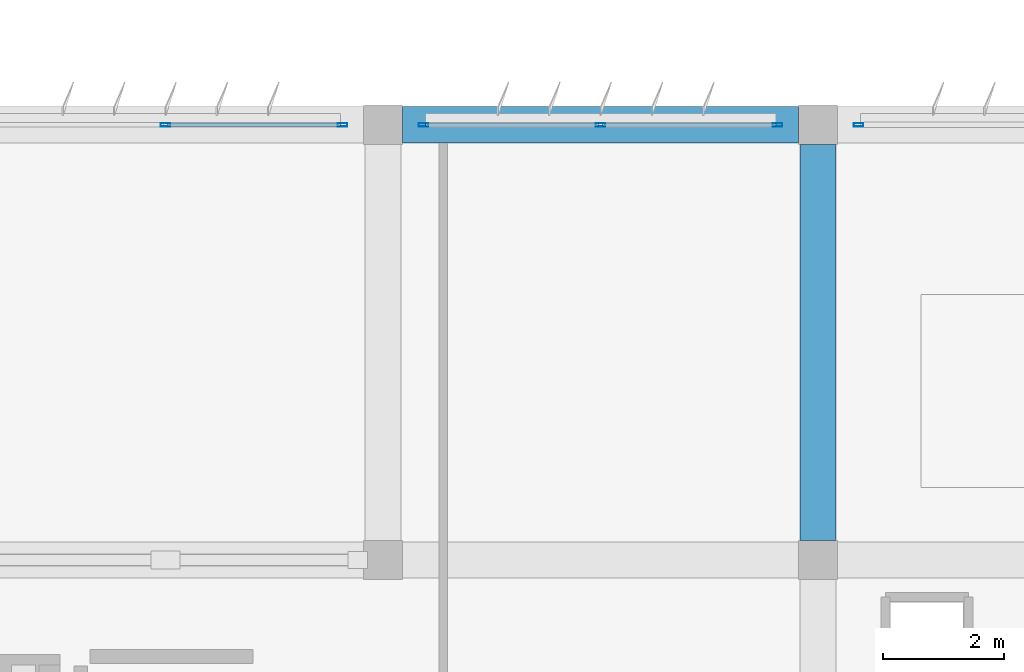
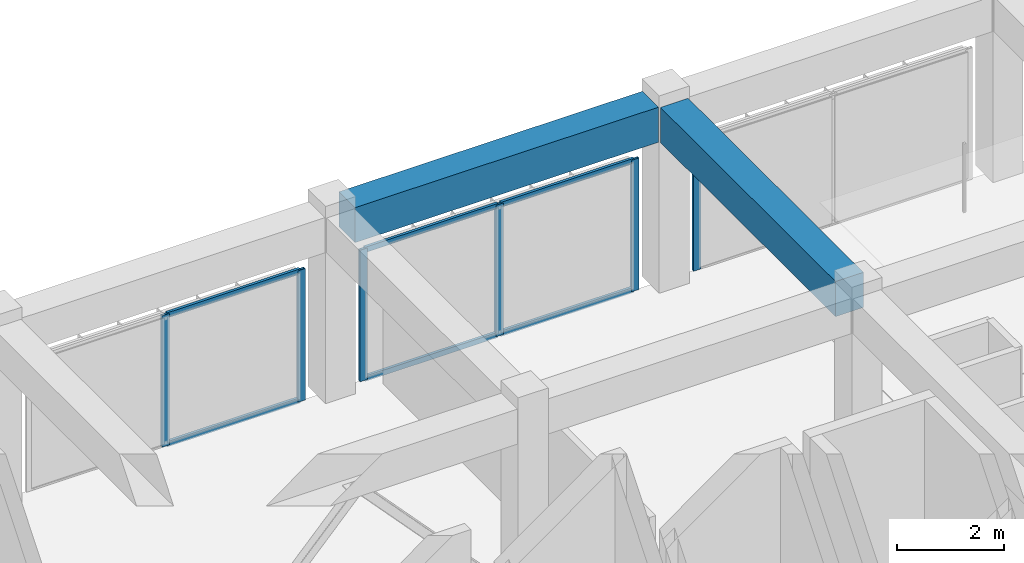
# One storey, part 16 of 56: 12 members, 2 beams, 3 elements without a shape of their own.
"""IFC4 building model written with IfcOpenShell, lengths in metres."""

import ifcopenshell
import ifcopenshell.guid

model = None  # the IFC model being written
_history = None  # IfcOwnerHistory: only IFC2X3 demands one
_inside = {}  # id of a spatial element -> (the spatial element, [elements in it])
_under = {}  # id of a project, library or spatial element -> (it, [spatial elements below it])
_declared = {}  # id of a project -> (the project, [libraries it declares])
_typed = {}  # id of a type object -> (the type object, [elements of that type])
_made_of = {}  # id of a material, layer set ... -> (it, [elements and type objects made of it])


def new_model(schema):
    """Start an empty IFC model of exactly this schema.

    Asked for "IFC4X3", IfcOpenShell would pick the latest addendum, in which some entities
    have other attributes; the version numbers below select the first issue.
    IFC2X3 requires an IfcOwnerHistory on every rooted entity: one is made here for all.
    """
    global model, _history
    if schema == "IFC4X3":
        model = ifcopenshell.file(schema_version=(4, 3, 0, 0))
    else:
        model = ifcopenshell.file(schema=schema)
    _inside.clear()
    _under.clear()
    _declared.clear()
    _typed.clear()
    _made_of.clear()
    _history = None
    if model.schema == "IFC2X3":
        org = make("IfcOrganization", Name="unknown")
        user = make(
            "IfcPersonAndOrganization",
            ThePerson=make("IfcPerson", FamilyName="unknown"),
            TheOrganization=org,
        )
        app = make(
            "IfcApplication",
            ApplicationDeveloper=org,
            Version="unknown",
            ApplicationFullName="unknown",
            ApplicationIdentifier="unknown",
        )
        _history = make(
            "IfcOwnerHistory",
            OwningUser=user,
            OwningApplication=app,
            ChangeAction="ADDED",
            CreationDate=0,
        )
    return model


def make(cls, **values):
    """One entity of the class cls with the attributes given. An attribute that is None is left unset."""
    return model.create_entity(
        cls, **{name: value for name, value in values.items() if value is not None}
    )


def rooted(cls, **values):
    """An entity with a GlobalId (a new one), such as an element, a storey or a relation."""
    return make(cls, GlobalId=ifcopenshell.guid.new(), OwnerHistory=_history, **values)


def si_unit(unit_type, name, prefix=None):
    """IfcSIUnit, for example si_unit("LENGTHUNIT", "METRE", prefix="MILLI")."""
    return make("IfcSIUnit", UnitType=unit_type, Prefix=prefix, Name=name)


def assignment(units):
    """IfcUnitAssignment: the units of a project."""
    return None if units is None else make("IfcUnitAssignment", Units=units)


def point(xyz):
    """IfcCartesianPoint."""
    return None if xyz is None else make("IfcCartesianPoint", Coordinates=xyz)


def direction(xyz):
    """IfcDirection."""
    return None if xyz is None else make("IfcDirection", DirectionRatios=xyz)


def frame(location, z_axis=None, x_axis=None):
    """IfcAxis2Placement3D, a coordinate frame: its origin and axes. An axis left out is left unset."""
    return make(
        "IfcAxis2Placement3D",
        Location=point(location),
        Axis=direction(z_axis),
        RefDirection=direction(x_axis),
    )


def frame_2d(location, x_axis=None):
    """IfcAxis2Placement2D, a coordinate frame in the plane: its origin and x axis."""
    return make(
        "IfcAxis2Placement2D", Location=point(location), RefDirection=direction(x_axis)
    )


def origin():
    """The frame at (0, 0, 0) with its axes left unset."""
    return frame((0.0, 0.0, 0.0))


def origin_2d():
    """The frame at (0, 0) in the plane with its x axis left unset."""
    return frame_2d((0.0, 0.0))


def place(relative_to, where):
    """IfcLocalPlacement: puts the frame where relative to a parent placement (None: the world)."""
    return make(
        "IfcLocalPlacement", PlacementRelTo=relative_to, RelativePlacement=where
    )


def context(
    kind, dimensions, precision=None, world=None, true_north=None, identifier=None
):
    """IfcGeometricRepresentationContext, for example the 3D "Model" context."""
    return make(
        "IfcGeometricRepresentationContext",
        ContextIdentifier=identifier,
        ContextType=kind,
        CoordinateSpaceDimension=dimensions,
        Precision=precision,
        WorldCoordinateSystem=world,
        TrueNorth=true_north,
    )


def subcontext(parent, identifier, kind, view, scale=None):
    """IfcGeometricRepresentationSubContext, for example "Body" below "Model"."""
    return make(
        "IfcGeometricRepresentationSubContext",
        ContextIdentifier=identifier,
        ContextType=kind,
        ParentContext=parent,
        TargetScale=scale,
        TargetView=view,
    )


def project(units=None, contexts=None):
    """IfcProject with its units and contexts."""
    return rooted(
        "IfcProject",
        Name="project",
        RepresentationContexts=contexts,
        UnitsInContext=assignment(units),
    )


def spatial(cls, under=None, at=None, **own):
    """A site, building, storey or space (cls), placed at a placement, below another one or the project."""
    s = rooted(cls, ObjectPlacement=at, **own)
    if under is not None:
        _under.setdefault(under.id(), (under, []))[1].append(s)
    return s


def profile(cls, at=None, kind="AREA", **sizes):
    """A parametric profile (cls). Its sizes go by their IFC names, for example OverallWidth=200.0."""
    return make(cls, ProfileType=kind, Position=at, **sizes)


def rectangle(**sizes):
    """IfcRectangleProfileDef."""
    return profile("IfcRectangleProfileDef", **sizes)


def hollow_rectangle(**sizes):
    """IfcRectangleHollowProfileDef."""
    return profile("IfcRectangleHollowProfileDef", **sizes)


def extrude(swept, where, along, depth):
    """IfcExtrudedAreaSolid: the profile swept, set in the frame where, extruded along a direction by depth."""
    return make(
        "IfcExtrudedAreaSolid",
        SweptArea=swept,
        Position=where,
        ExtrudedDirection=direction(along),
        Depth=depth,
    )


def shape(context_of_items, identifier, shape_type, items):
    """IfcShapeRepresentation: the items that make up one representation, for example the "Body"."""
    return make(
        "IfcShapeRepresentation",
        ContextOfItems=context_of_items,
        RepresentationIdentifier=identifier,
        RepresentationType=shape_type,
        Items=items,
    )


def material(Name=None, Category=None):
    """IfcMaterial."""
    return make("IfcMaterial", Name=Name, Category=Category)


def material_profile(
    of_material, cross_section, Name=None, Category=None, Priority=None
):
    """IfcMaterialProfile: a cross section and its material."""
    return make(
        "IfcMaterialProfile",
        Name=Name,
        Material=of_material,
        Profile=cross_section,
        Priority=Priority,
        Category=Category,
    )


def profile_set(profiles, Name=None, composite=None):
    """IfcMaterialProfileSet."""
    return make(
        "IfcMaterialProfileSet",
        Name=Name,
        MaterialProfiles=profiles,
        CompositeProfile=composite,
    )


def made_of(thing, what):
    """Note that an element or type object is made of a material, layer set ...; save() writes the relation."""
    if what is not None:
        _made_of.setdefault(what.id(), (what, []))[1].append(thing)
    return thing


def type_object(cls, material=None, **own):
    """A type object (cls), such as IfcWallType, which elements share."""
    return made_of(rooted(cls, **own), material)


def element(
    cls,
    number,
    at=None,
    inside=None,
    cuts=None,
    type_object=None,
    material=None,
    context=None,
    identifier="Body",
    shape_type=None,
    held_by="IfcProductDefinitionShape",
    body=None,
    shapes=None,
    **own,
):
    """One element of the class cls, such as IfcWall. Its Tag is "e" and its number.

    at: its placement. inside: the storey or other place that contains it. cuts: it is an
    opening in that element (IfcRelVoidsElement). A single representation is given by context,
    identifier, shape_type and body (its items); several are given by shapes. held_by: the class
    of the entity that holds the representations. save() writes the other relations.
    """
    e = rooted(cls, Tag="e%d" % number, ObjectPlacement=at, **own)
    if body is not None:
        shapes = [shape(context, identifier, shape_type, body)]
    if shapes is not None:
        e.Representation = make(held_by, Representations=shapes)
    if inside is not None:
        _inside.setdefault(inside.id(), (inside, []))[1].append(e)
    if cuts is not None:
        rooted(
            "IfcRelVoidsElement", RelatingBuildingElement=cuts, RelatedOpeningElement=e
        )
    if type_object is not None:
        _typed.setdefault(type_object.id(), (type_object, []))[1].append(e)
    return made_of(e, material)


def aggregate(whole, parts):
    """IfcRelAggregates: a whole, such as a stair, and the parts it consists of."""
    return rooted("IfcRelAggregates", RelatingObject=whole, RelatedObjects=parts)


def save(model, path):
    """Write the relations noted so far, then the file.

    IfcRelAggregates (storeys below a building ...), IfcRelContainedInSpatialStructure (elements
    in a storey), IfcRelDefinesByType, IfcRelAssociatesMaterial and IfcRelDeclares: one each for
    every whole, place, type object, material and project.
    """
    for whole, parts in _under.values():
        aggregate(whole, parts)
    for where, things in _inside.values():
        rooted(
            "IfcRelContainedInSpatialStructure",
            RelatedElements=things,
            RelatingStructure=where,
        )
    for kind, things in _typed.values():
        rooted("IfcRelDefinesByType", RelatedObjects=things, RelatingType=kind)
    for what, things in _made_of.values():
        rooted("IfcRelAssociatesMaterial", RelatedObjects=things, RelatingMaterial=what)
    for by, libraries in _declared.values():
        rooted("IfcRelDeclares", RelatingContext=by, RelatedDefinitions=libraries)
    model.write(path)


model = new_model("IFC4")

# Units and contexts
model_context = context("Model", 3, precision=1e-05, world=origin(), true_north=direction((0.0, 1.0)))
body_context = subcontext(model_context, "Body", "Model", "MODEL_VIEW")
ifc_project = project(units=[si_unit("LENGTHUNIT", "METRE"), si_unit("AREAUNIT", "SQUARE_METRE"), si_unit("VOLUMEUNIT", "CUBIC_METRE"), si_unit("PLANEANGLEUNIT", "RADIAN"), si_unit("MASSUNIT", "GRAM", prefix="KILO")], contexts=[model_context])

# Site, building, storey
site_placement = place(None, origin())
site = spatial("IfcSite", under=ifc_project, at=site_placement, CompositionType="ELEMENT")
building_placement = place(site_placement, origin())
building = spatial("IfcBuilding", under=site, at=building_placement, Name="Kazehaya Institute of Natural Sciences", CompositionType="ELEMENT")
storey_placement = place(building_placement, frame((0.0, 0.0, 28.800048828125)))
storey = spatial("IfcBuildingStorey", under=building, at=storey_placement, Name="L06", CompositionType="ELEMENT", Elevation=28.800048828125)

# Beams
ifc_material_1 = material(Name="Concrete Fc36", Category="concrete")
ifc_material_profile_1 = material_profile(ifc_material_1, rectangle(XDim=0.60009765625, YDim=0.800048828125, at=origin_2d()), Name="RC-600x800")
ifc_profile_set_1 = profile_set([ifc_material_profile_1], Name="Concrete Fc36")
beam_type = type_object("IfcBeamType", Name="BM-G-600x800", PredefinedType="BEAM", material=ifc_profile_set_1)
beam_1_placement = place(storey_placement, frame((76.52490234375, 35.60009765625, 3.829833984375), z_axis=(1.0, 0.0, 0.0), x_axis=(0.0, 1.0, 0.0)))
element("IfcBeam", 1, at=beam_1_placement, inside=storey, type_object=beam_type, Name="L06 primary X girder BMX-L06-762-356", PredefinedType="BEAM", context=body_context, shape_type="SweptSolid", body=[
    extrude(rectangle(XDim=0.60009765625, YDim=0.800048828125, at=origin_2d()), origin(), (0.0, 0.0, 1.0), 6.550048828125),
])
beam_2_placement = place(storey_placement, frame((83.39990234375, 28.72509765625, 3.829833984375), z_axis=(0.0, 1.0, 0.0), x_axis=(-1.0, 0.0, 0.0)))
element("IfcBeam", 2, at=beam_2_placement, inside=storey, type_object=beam_type, Name="L06 primary Y girder BMY-L06-834-284", PredefinedType="BEAM", context=body_context, shape_type="SweptSolid", body=[
    extrude(rectangle(XDim=0.60009765625, YDim=0.800048828125, at=origin_2d()), origin(), (0.0, 0.0, 1.0), 6.5498046875),
])

# Curtain wall, members
ifc_material_2 = material(Name="Aluminium alloy A6063S-T5", Category="aluminium")
curtain_wall_type = type_object("IfcCurtainWallType", Name="CW-SYS-04", PredefinedType="NOTDEFINED", material=ifc_material_2)
curtain_wall_1_placement = place(storey_placement, origin())
curtain_wall_1 = element("IfcCurtainWall", 3, at=curtain_wall_1_placement, inside=storey, type_object=curtain_wall_type, Name="L06 unitised curtain wall CW-L06-131", PredefinedType="NOTDEFINED")
ifc_material_profile_2 = material_profile(ifc_material_2, hollow_rectangle(XDim=0.06005859375, YDim=0.159912109375, WallThickness=0.00390625, at=origin_2d()), Name="ALU-60x160x4")
ifc_profile_set_2 = profile_set([ifc_material_profile_2], Name="Aluminium alloy A6063S-T5")
member_type_1 = type_object("IfcMemberType", Name="CWM-160", PredefinedType="MULLION", material=ifc_profile_set_2)
member_1_placement = place(storey_placement, frame((72.60009765625, 35.60009765625, 0.0), z_axis=(0.0, 0.0, 1.0), x_axis=(0.0, 1.0, 0.0)))
member_1 = element("IfcMember", 4, at=member_1_placement, type_object=member_type_1, Name="CW04 mullion 2", PredefinedType="MULLION", context=body_context, shape_type="SweptSolid", body=[
    extrude(hollow_rectangle(XDim=0.06005859375, YDim=0.159912109375, WallThickness=0.00390625, at=origin_2d()), origin(), (0.0, 0.0, 1.0), 3.0),
])
member_2_placement = place(storey_placement, frame((75.530029296875, 35.60009765625, 0.0), z_axis=(0.0, 0.0, 1.0), x_axis=(0.0, 1.0, 0.0)))
member_2 = element("IfcMember", 5, at=member_2_placement, type_object=member_type_1, Name="CW04 mullion 3", PredefinedType="MULLION", context=body_context, shape_type="SweptSolid", body=[
    extrude(hollow_rectangle(XDim=0.06005859375, YDim=0.159912109375, WallThickness=0.00390625, at=origin_2d()), origin(), (0.0, 0.0, 1.0), 3.0),
])

curtain_wall_2_placement = place(storey_placement, origin())
curtain_wall_2 = element("IfcCurtainWall", 6, at=curtain_wall_2_placement, inside=storey, type_object=curtain_wall_type, Name="L06 unitised curtain wall CW-L06-132", PredefinedType="NOTDEFINED")
member_3_placement = place(storey_placement, frame((76.8701171875, 35.60009765625, 0.0), z_axis=(0.0, 0.0, 1.0), x_axis=(0.0, 1.0, 0.0)))
member_3 = element("IfcMember", 7, at=member_3_placement, type_object=member_type_1, Name="CW04 mullion 1", PredefinedType="MULLION", context=body_context, shape_type="SweptSolid", body=[
    extrude(hollow_rectangle(XDim=0.06005859375, YDim=0.159912109375, WallThickness=0.00390625, at=origin_2d()), origin(), (0.0, 0.0, 1.0), 3.0),
])
member_4_placement = place(storey_placement, frame((79.800048828125, 35.60009765625, 0.0), z_axis=(0.0, 0.0, 1.0), x_axis=(0.0, 1.0, 0.0)))
member_4 = element("IfcMember", 8, at=member_4_placement, type_object=member_type_1, Name="CW04 mullion 2", PredefinedType="MULLION", context=body_context, shape_type="SweptSolid", body=[
    extrude(hollow_rectangle(XDim=0.06005859375, YDim=0.159912109375, WallThickness=0.00390625, at=origin_2d()), origin(), (0.0, 0.0, 1.0), 3.0),
])
member_5_placement = place(storey_placement, frame((82.72998046875, 35.60009765625, 0.0), z_axis=(0.0, 0.0, 1.0), x_axis=(0.0, 1.0, 0.0)))
member_5 = element("IfcMember", 9, at=member_5_placement, type_object=member_type_1, Name="CW04 mullion 3", PredefinedType="MULLION", context=body_context, shape_type="SweptSolid", body=[
    extrude(hollow_rectangle(XDim=0.06005859375, YDim=0.159912109375, WallThickness=0.00390625, at=origin_2d()), origin(), (0.0, 0.0, 1.0), 3.0),
])

# Curtain wall, member
curtain_wall_3_placement = place(storey_placement, origin())
curtain_wall_3 = element("IfcCurtainWall", 10, at=curtain_wall_3_placement, inside=storey, type_object=curtain_wall_type, Name="L06 unitised curtain wall CW-L06-133", PredefinedType="NOTDEFINED")
member_6_placement = place(storey_placement, frame((84.070068359375, 35.60009765625, 0.0), z_axis=(0.0, 0.0, 1.0), x_axis=(0.0, 1.0, 0.0)))
member_6 = element("IfcMember", 11, at=member_6_placement, type_object=member_type_1, Name="CW04 mullion 1", PredefinedType="MULLION", context=body_context, shape_type="SweptSolid", body=[
    extrude(hollow_rectangle(XDim=0.06005859375, YDim=0.159912109375, WallThickness=0.00390625, at=origin_2d()), origin(), (0.0, 0.0, 1.0), 3.0),
])
aggregate(curtain_wall_3, [member_6])

# Member
ifc_material_profile_3 = material_profile(ifc_material_2, hollow_rectangle(XDim=0.06005859375, YDim=0.1201171875, WallThickness=0.00341796875, at=origin_2d()), Name="ALU-60x120x3.5")
ifc_profile_set_3 = profile_set([ifc_material_profile_3], Name="Aluminium alloy A6063S-T5")
member_type_2 = type_object("IfcMemberType", Name="CWT-120", PredefinedType="USERDEFINED", material=ifc_profile_set_3)
member_7_placement = place(storey_placement, frame((72.6298828125, 35.60009765625, 0.030029296875), z_axis=(1.0, 0.0, 0.0), x_axis=(0.0, 1.0, 0.0)))
member_7 = element("IfcMember", 12, at=member_7_placement, type_object=member_type_2, Name="CW04 transom 2.1", ObjectType="TRANSOM", PredefinedType="USERDEFINED", context=body_context, shape_type="SweptSolid", body=[
    extrude(hollow_rectangle(XDim=0.06005859375, YDim=0.1201171875, WallThickness=0.00341796875, at=origin_2d()), origin(), (0.0, 0.0, 1.0), 2.8701171875),
])

member_8_placement = place(storey_placement, frame((72.6298828125, 35.60009765625, 2.969970703125), z_axis=(1.0, 0.0, 0.0), x_axis=(0.0, 1.0, 0.0)))
member_8 = element("IfcMember", 13, at=member_8_placement, type_object=member_type_2, Name="CW04 transom 2.2", ObjectType="TRANSOM", PredefinedType="USERDEFINED", context=body_context, shape_type="SweptSolid", body=[
    extrude(hollow_rectangle(XDim=0.06005859375, YDim=0.1201171875, WallThickness=0.00341796875, at=origin_2d()), origin(), (0.0, 0.0, 1.0), 2.8701171875),
])

aggregate(curtain_wall_1, [member_1, member_2, member_7, member_8])

member_9_placement = place(storey_placement, frame((76.89990234375, 35.60009765625, 0.030029296875), z_axis=(1.0, 0.0, 0.0), x_axis=(0.0, 1.0, 0.0)))
member_9 = element("IfcMember", 14, at=member_9_placement, type_object=member_type_2, Name="CW04 transom 1.1", ObjectType="TRANSOM", PredefinedType="USERDEFINED", context=body_context, shape_type="SweptSolid", body=[
    extrude(hollow_rectangle(XDim=0.06005859375, YDim=0.1201171875, WallThickness=0.00341796875, at=origin_2d()), origin(), (0.0, 0.0, 1.0), 2.8701171875),
])

member_10_placement = place(storey_placement, frame((76.89990234375, 35.60009765625, 2.969970703125), z_axis=(1.0, 0.0, 0.0), x_axis=(0.0, 1.0, 0.0)))
member_10 = element("IfcMember", 15, at=member_10_placement, type_object=member_type_2, Name="CW04 transom 1.2", ObjectType="TRANSOM", PredefinedType="USERDEFINED", context=body_context, shape_type="SweptSolid", body=[
    extrude(hollow_rectangle(XDim=0.06005859375, YDim=0.1201171875, WallThickness=0.00341796875, at=origin_2d()), origin(), (0.0, 0.0, 1.0), 2.8701171875),
])

member_11_placement = place(storey_placement, frame((79.830078125, 35.60009765625, 0.030029296875), z_axis=(1.0, 0.0, 0.0), x_axis=(0.0, 1.0, 0.0)))
member_11 = element("IfcMember", 16, at=member_11_placement, type_object=member_type_2, Name="CW04 transom 2.1", ObjectType="TRANSOM", PredefinedType="USERDEFINED", context=body_context, shape_type="SweptSolid", body=[
    extrude(hollow_rectangle(XDim=0.06005859375, YDim=0.1201171875, WallThickness=0.00341796875, at=origin_2d()), origin(), (0.0, 0.0, 1.0), 2.869873046875),
])

member_12_placement = place(storey_placement, frame((79.830078125, 35.60009765625, 2.969970703125), z_axis=(1.0, 0.0, 0.0), x_axis=(0.0, 1.0, 0.0)))
member_12 = element("IfcMember", 17, at=member_12_placement, type_object=member_type_2, Name="CW04 transom 2.2", ObjectType="TRANSOM", PredefinedType="USERDEFINED", context=body_context, shape_type="SweptSolid", body=[
    extrude(hollow_rectangle(XDim=0.06005859375, YDim=0.1201171875, WallThickness=0.00341796875, at=origin_2d()), origin(), (0.0, 0.0, 1.0), 2.869873046875),
])

aggregate(curtain_wall_2, [member_3, member_4, member_5, member_9, member_10, member_11, member_12])

save(model, "model.ifc")
